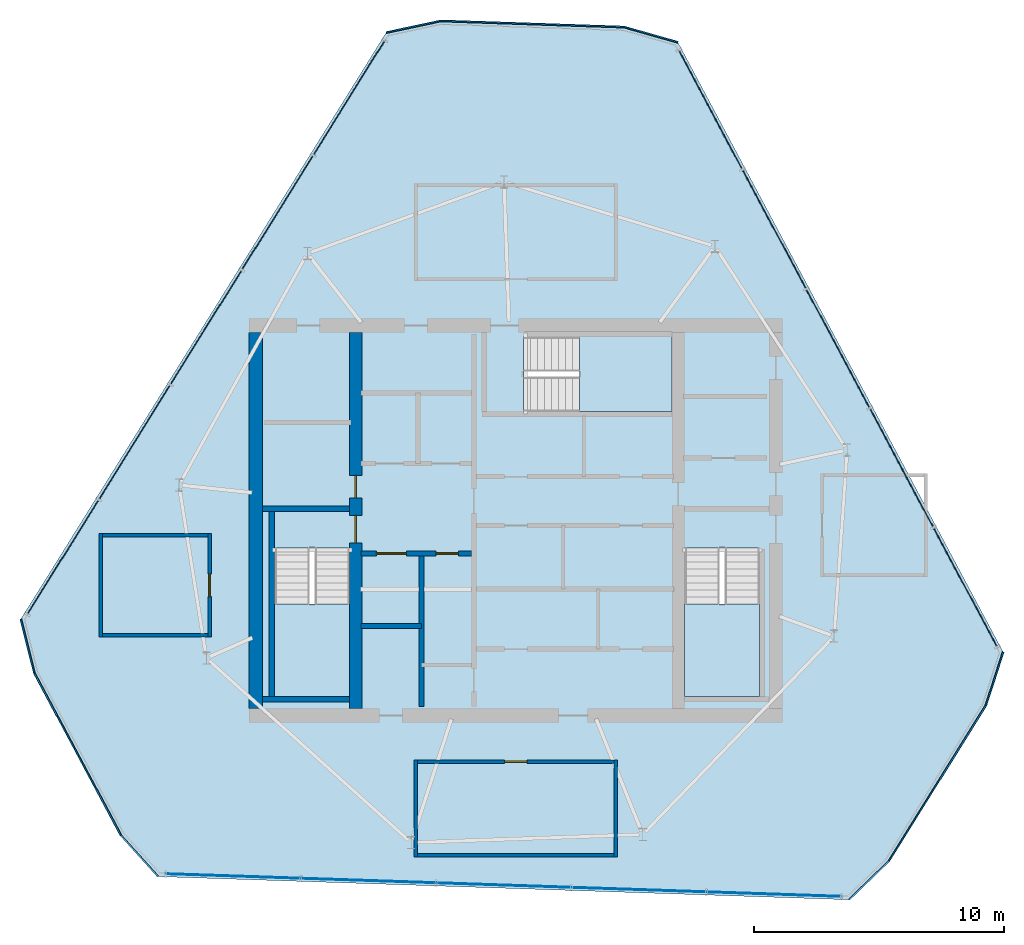
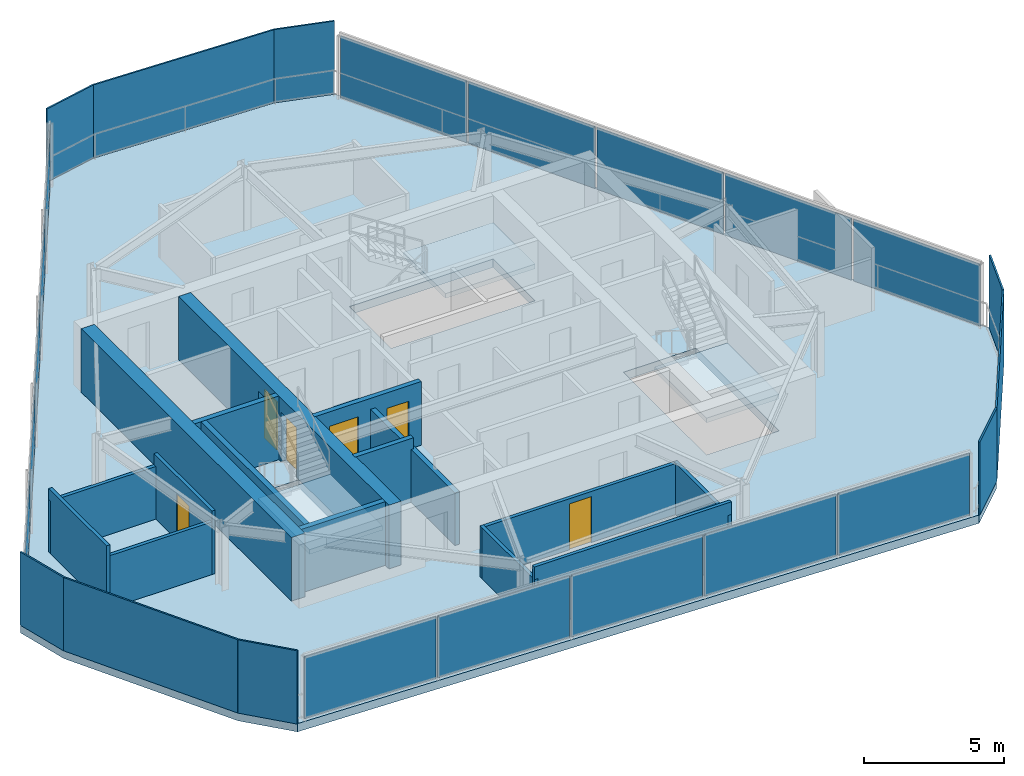
# One storey, part 13 of 16: 24 plates, 16 walls, 6 doors, 4 slabs, 6 openings, 6 elements without a shape of their own.
"""IFC4 building model written with IfcOpenShell, lengths in metres."""

from ifc_helpers import new_model, si_unit, direction, frame, frame_2d, origin, origin_2d, place, context, subcontext, project, spatial, polyline, rectangle, outline, extrude, material, layer, layer_set, type_object, element, fill, aggregate, save


model = new_model("IFC4")

# Units and contexts
model_context = context("Model", 3, precision=1e-05, world=origin(), true_north=direction((0.0, 1.0)))
body_context = subcontext(model_context, "Body", "Model", "MODEL_VIEW")
ifc_project = project(units=[si_unit("LENGTHUNIT", "METRE"), si_unit("AREAUNIT", "SQUARE_METRE"), si_unit("VOLUMEUNIT", "CUBIC_METRE"), si_unit("PLANEANGLEUNIT", "RADIAN"), si_unit("MASSUNIT", "GRAM", prefix="KILO")], contexts=[model_context])

# Site, building, storey
site_placement = place(None, origin())
site = spatial("IfcSite", under=ifc_project, at=site_placement, CompositionType="ELEMENT")
building_placement = place(site_placement, origin())
building = spatial("IfcBuilding", under=site, at=building_placement, Name="Qarnah Convention Tower", CompositionType="ELEMENT")
storey_placement = place(building_placement, frame((0.0, 0.0, 286.699951171875)))
storey = spatial("IfcBuildingStorey", under=building, at=storey_placement, Name="L77", CompositionType="ELEMENT", Elevation=286.699951171875)

# Curtain wall, plates
ifc_material_1 = material(Name="Tempered Low-E dark glass", Category="glass")
ifc_layer_1 = layer(ifc_material_1, 0.177978515625)
ifc_layer_set_1 = layer_set([ifc_layer_1], Name="Tempered Low-E dark glass")
curtain_wall_type = type_object("IfcCurtainWallType", Name="CWS-06", PredefinedType="NOTDEFINED", material=ifc_layer_set_1)
curtain_wall_1_placement = place(storey_placement, origin())
curtain_wall_1 = element("IfcCurtainWall", 1, at=curtain_wall_1_placement, inside=storey, type_object=curtain_wall_type, Name="L77 unitised curtain wall CW-L77-F1", PredefinedType="NOTDEFINED")
ifc_layer_2 = layer(ifc_material_1, 0.0380859375)
ifc_layer_set_2 = layer_set([ifc_layer_2], Name="Tempered Low-E dark glass")
plate_type_1 = type_object("IfcPlateType", Name="PNL-T6", PredefinedType="CURTAIN_PANEL", material=ifc_layer_set_2)
plate_1_placement = place(storey_placement, frame((44.98828125, 42.818359375, 0.0400390625), z_axis=(0.0, 0.0, 1.0), x_axis=(0.470716790186, -0.882284366538, 0.0)))
plate_1 = element("IfcPlate", 2, at=plate_1_placement, type_object=plate_type_1, Name="CW-L77-F1 curtain panel 1.1", PredefinedType="CURTAIN_PANEL", context=body_context, shape_type="SweptSolid", body=[
    extrude(rectangle(XDim=5.330078125, YDim=0.0380859375, at=origin_2d()), origin(), (0.0, 0.0, 1.0), 2.699951171875),
])
plate_2_placement = place(storey_placement, frame((47.534912109375, 38.045166015625, 0.0400390625), z_axis=(0.0, 0.0, 1.0), x_axis=(0.470716790186, -0.882284366538, 0.0)))
plate_2 = element("IfcPlate", 3, at=plate_2_placement, type_object=plate_type_1, Name="CW-L77-F1 curtain panel 2.1", PredefinedType="CURTAIN_PANEL", context=body_context, shape_type="SweptSolid", body=[
    extrude(rectangle(XDim=5.330078125, YDim=0.0380859375, at=origin_2d()), origin(), (0.0, 0.0, 1.0), 2.699951171875),
])
plate_3_placement = place(storey_placement, frame((50.08154296875, 33.27197265625, 0.0400390625), z_axis=(0.0, 0.0, 1.0), x_axis=(0.470716790186, -0.882284366538, 0.0)))
plate_3 = element("IfcPlate", 4, at=plate_3_placement, type_object=plate_type_1, Name="CW-L77-F1 curtain panel 3.1", PredefinedType="CURTAIN_PANEL", context=body_context, shape_type="SweptSolid", body=[
    extrude(rectangle(XDim=5.330078125, YDim=0.0380859375, at=origin_2d()), origin(), (0.0, 0.0, 1.0), 2.699951171875),
])
plate_4_placement = place(storey_placement, frame((52.628173828125, 28.498779296875, 0.0400390625), z_axis=(0.0, 0.0, 1.0), x_axis=(0.470716790186, -0.882284366538, 0.0)))
plate_4 = element("IfcPlate", 5, at=plate_4_placement, type_object=plate_type_1, Name="CW-L77-F1 curtain panel 4.1", PredefinedType="CURTAIN_PANEL", context=body_context, shape_type="SweptSolid", body=[
    extrude(rectangle(XDim=5.330078125, YDim=0.0380859375, at=origin_2d()), origin(), (0.0, 0.0, 1.0), 2.699951171875),
])
plate_5_placement = place(storey_placement, frame((55.1748046875, 23.7255859375, 0.0400390625), z_axis=(0.0, 0.0, 1.0), x_axis=(0.470716790186, -0.882284366538, 0.0)))
plate_5 = element("IfcPlate", 6, at=plate_5_placement, type_object=plate_type_1, Name="CW-L77-F1 curtain panel 5.1", PredefinedType="CURTAIN_PANEL", context=body_context, shape_type="SweptSolid", body=[
    extrude(rectangle(XDim=5.330078125, YDim=0.0380859375, at=origin_2d()), origin(), (0.0, 0.0, 1.0), 2.699951171875),
])
aggregate(curtain_wall_1, [plate_1, plate_2, plate_3, plate_4, plate_5])

curtain_wall_2_placement = place(storey_placement, origin())
curtain_wall_2 = element("IfcCurtainWall", 7, at=curtain_wall_2_placement, inside=storey, type_object=curtain_wall_type, Name="L77 unitised curtain wall CW-L77-F2", PredefinedType="NOTDEFINED")
plate_6_placement = place(storey_placement, frame((47.524658203125, 11.445556640625, 0.0400390625), z_axis=(0.0, 0.0, 1.0), x_axis=(-0.999438900358, 0.033494543595, 0.0)))
plate_6 = element("IfcPlate", 8, at=plate_6_placement, type_object=plate_type_1, Name="CW-L77-F2 curtain panel 1.1", PredefinedType="CURTAIN_PANEL", context=body_context, shape_type="SweptSolid", body=[
    extrude(rectangle(XDim=5.329833984375, YDim=0.0380859375, at=origin_2d()), origin(), (0.0, 0.0, 1.0), 2.699951171875),
])
plate_7_placement = place(storey_placement, frame((42.117919921875, 11.626708984375, 0.0400390625), z_axis=(0.0, 0.0, 1.0), x_axis=(-0.999438900358, 0.033494543595, 0.0)))
plate_7 = element("IfcPlate", 9, at=plate_7_placement, type_object=plate_type_1, Name="CW-L77-F2 curtain panel 2.1", PredefinedType="CURTAIN_PANEL", context=body_context, shape_type="SweptSolid", body=[
    extrude(rectangle(XDim=5.329833984375, YDim=0.0380859375, at=origin_2d()), origin(), (0.0, 0.0, 1.0), 2.699951171875),
])
plate_8_placement = place(storey_placement, frame((36.7109375, 11.80810546875, 0.0400390625), z_axis=(0.0, 0.0, 1.0), x_axis=(-0.999438900358, 0.033494543595, 0.0)))
plate_8 = element("IfcPlate", 10, at=plate_8_placement, type_object=plate_type_1, Name="CW-L77-F2 curtain panel 3.1", PredefinedType="CURTAIN_PANEL", context=body_context, shape_type="SweptSolid", body=[
    extrude(rectangle(XDim=5.329833984375, YDim=0.0380859375, at=origin_2d()), origin(), (0.0, 0.0, 1.0), 2.699951171875),
])
plate_9_placement = place(storey_placement, frame((31.30419921875, 11.9892578125, 0.0400390625), z_axis=(0.0, 0.0, 1.0), x_axis=(-0.999438900358, 0.033494543595, 0.0)))
plate_9 = element("IfcPlate", 11, at=plate_9_placement, type_object=plate_type_1, Name="CW-L77-F2 curtain panel 4.1", PredefinedType="CURTAIN_PANEL", context=body_context, shape_type="SweptSolid", body=[
    extrude(rectangle(XDim=5.329833984375, YDim=0.0380859375, at=origin_2d()), origin(), (0.0, 0.0, 1.0), 2.699951171875),
])
plate_10_placement = place(storey_placement, frame((25.8974609375, 12.17041015625, 0.0400390625), z_axis=(0.0, 0.0, 1.0), x_axis=(-0.999438900358, 0.033494543595, 0.0)))
plate_10 = element("IfcPlate", 12, at=plate_10_placement, type_object=plate_type_1, Name="CW-L77-F2 curtain panel 5.1", PredefinedType="CURTAIN_PANEL", context=body_context, shape_type="SweptSolid", body=[
    extrude(rectangle(XDim=5.329833984375, YDim=0.0380859375, at=origin_2d()), origin(), (0.0, 0.0, 1.0), 2.699951171875),
])
aggregate(curtain_wall_2, [plate_6, plate_7, plate_8, plate_9, plate_10])

curtain_wall_3_placement = place(storey_placement, origin())
curtain_wall_3 = element("IfcCurtainWall", 13, at=curtain_wall_3_placement, inside=storey, type_object=curtain_wall_type, Name="L77 unitised curtain wall CW-L77-F3", PredefinedType="NOTDEFINED")
plate_11_placement = place(storey_placement, frame((19.086181640625, 24.935791015625, 0.0400390625), z_axis=(0.0, 0.0, 1.0), x_axis=(0.528738901195, 0.848784527641, 0.0)))
plate_11 = element("IfcPlate", 14, at=plate_11_placement, type_object=plate_type_1, Name="CW-L77-F3 curtain panel 1.1", PredefinedType="CURTAIN_PANEL", context=body_context, shape_type="SweptSolid", body=[
    extrude(rectangle(XDim=5.329833984375, YDim=0.0380859375, at=origin_2d()), origin(), (0.0, 0.0, 1.0), 2.699951171875),
])
plate_12_placement = place(storey_placement, frame((21.946533203125, 29.527587890625, 0.0400390625), z_axis=(0.0, 0.0, 1.0), x_axis=(0.528738901195, 0.848784527641, 0.0)))
plate_12 = element("IfcPlate", 15, at=plate_12_placement, type_object=plate_type_1, Name="CW-L77-F3 curtain panel 2.1", PredefinedType="CURTAIN_PANEL", context=body_context, shape_type="SweptSolid", body=[
    extrude(rectangle(XDim=5.329833984375, YDim=0.0380859375, at=origin_2d()), origin(), (0.0, 0.0, 1.0), 2.699951171875),
])
plate_13_placement = place(storey_placement, frame((24.806884765625, 34.119384765625, 0.0400390625), z_axis=(0.0, 0.0, 1.0), x_axis=(0.528738901195, 0.848784527641, 0.0)))
plate_13 = element("IfcPlate", 16, at=plate_13_placement, type_object=plate_type_1, Name="CW-L77-F3 curtain panel 3.1", PredefinedType="CURTAIN_PANEL", context=body_context, shape_type="SweptSolid", body=[
    extrude(rectangle(XDim=5.329833984375, YDim=0.0380859375, at=origin_2d()), origin(), (0.0, 0.0, 1.0), 2.699951171875),
])
plate_14_placement = place(storey_placement, frame((27.66748046875, 38.711181640625, 0.0400390625), z_axis=(0.0, 0.0, 1.0), x_axis=(0.528738901195, 0.848784527641, 0.0)))
plate_14 = element("IfcPlate", 17, at=plate_14_placement, type_object=plate_type_1, Name="CW-L77-F3 curtain panel 4.1", PredefinedType="CURTAIN_PANEL", context=body_context, shape_type="SweptSolid", body=[
    extrude(rectangle(XDim=5.329833984375, YDim=0.0380859375, at=origin_2d()), origin(), (0.0, 0.0, 1.0), 2.699951171875),
])
plate_15_placement = place(storey_placement, frame((30.52783203125, 43.302978515625, 0.0400390625), z_axis=(0.0, 0.0, 1.0), x_axis=(0.528738901195, 0.848784527641, 0.0)))
plate_15 = element("IfcPlate", 18, at=plate_15_placement, type_object=plate_type_1, Name="CW-L77-F3 curtain panel 5.1", PredefinedType="CURTAIN_PANEL", context=body_context, shape_type="SweptSolid", body=[
    extrude(rectangle(XDim=5.329833984375, YDim=0.0380859375, at=origin_2d()), origin(), (0.0, 0.0, 1.0), 2.699951171875),
])
aggregate(curtain_wall_3, [plate_11, plate_12, plate_13, plate_14, plate_15])

# Plates
ifc_material_2 = material(Name="Black anodised aluminium", Category="aluminium")
ifc_layer_3 = layer(ifc_material_2, 0.06494140625)
ifc_layer_set_3 = layer_set([ifc_layer_3], Name="Black anodised aluminium")
plate_type_2 = type_object("IfcPlateType", Name="SCR-CRN-30", PredefinedType="USERDEFINED", material=ifc_layer_set_3)
plate_16_placement = place(storey_placement, frame((37.865966796875, 46.260986328125, 0.0), z_axis=(0.0, 0.0, 1.0), x_axis=(0.999438874051, -0.033495328553, 0.0)))
element("IfcPlate", 19, at=plate_16_placement, inside=storey, type_object=plate_type_2, Name="L77 crown acoustic louver screen 1", ObjectType="SCREEN", PredefinedType="USERDEFINED", context=body_context, shape_type="SweptSolid", body=[
    extrude(rectangle(XDim=7.343994140625, YDim=0.06494140625, at=origin_2d()), origin(), (0.0, 0.0, 1.0), 3.199951171875),
])
plate_17_placement = place(storey_placement, frame((42.60791015625, 45.83203125, 0.0), z_axis=(0.0, 0.0, 1.0), x_axis=(0.961591505401, -0.274484565578, 0.0)))
element("IfcPlate", 20, at=plate_17_placement, inside=storey, type_object=plate_type_2, Name="L77 crown acoustic louver screen 2", ObjectType="SCREEN", PredefinedType="USERDEFINED", context=body_context, shape_type="SweptSolid", body=[
    extrude(rectangle(XDim=2.22998046875, YDim=0.06494140625, at=origin_2d()), origin(), (0.0, 0.0, 1.0), 3.199951171875),
])
plate_18_placement = place(storey_placement, frame((56.35205078125, 20.071044921875, 0.0), z_axis=(0.0, 0.0, 1.0), x_axis=(-0.307736926871, -0.951471483461, 0.0)))
element("IfcPlate", 21, at=plate_18_placement, inside=storey, type_object=plate_type_2, Name="L77 crown acoustic louver screen 4", ObjectType="SCREEN", PredefinedType="USERDEFINED", context=body_context, shape_type="SweptSolid", body=[
    extrude(rectangle(XDim=2.22900390625, YDim=0.06494140625, at=origin_2d()), origin(), (0.0, 0.0, 1.0), 3.199951171875),
])
plate_19_placement = place(storey_placement, frame((54.06689453125, 15.89306640625, 0.0), z_axis=(0.0, 0.0, 1.0), x_axis=(-0.528700576619, -0.848808400219, 0.0)))
element("IfcPlate", 22, at=plate_19_placement, inside=storey, type_object=plate_type_2, Name="L77 crown acoustic louver screen 5", ObjectType="SCREEN", PredefinedType="USERDEFINED", context=body_context, shape_type="SweptSolid", body=[
    extrude(rectangle(XDim=7.343994140625, YDim=0.06494140625, at=origin_2d()), origin(), (0.0, 0.0, 1.0), 3.199951171875),
])
for number, where, z_axis, x_axis, name in (
    (23, (51.324951171875, 12.0, 0.0), (0.0, 0.0, 1.0), (-0.718450517166, -0.695578072098, 0.0), "L77 crown acoustic louver screen 6"),
    (24, (22.14306640625, 12.97802734375, 0.0), (0.0, 0.0, 1.0), (-0.670079487737, 0.742289350667, 0.0), "L77 crown acoustic louver screen 8"),
):
    element("IfcPlate", number, at=place(storey_placement, frame(where, z_axis=z_axis, x_axis=x_axis)), inside=storey, type_object=plate_type_2, Name=name, ObjectType="SCREEN", PredefinedType="USERDEFINED", context=body_context, shape_type="SweptSolid", body=[
        extrude(rectangle(XDim=2.22998046875, YDim=0.06494140625, at=origin_2d()), origin(), (0.0, 0.0, 1.0), 3.199951171875),
    ])
plate_20_placement = place(storey_placement, frame((19.66796875, 17.0458984375, 0.0), z_axis=(0.0, 0.0, 1.0), x_axis=(-0.470694692807, 0.882296155587, 0.0)))
element("IfcPlate", 25, at=plate_20_placement, inside=storey, type_object=plate_type_2, Name="L77 crown acoustic louver screen 9", ObjectType="SCREEN", PredefinedType="USERDEFINED", context=body_context, shape_type="SweptSolid", body=[
    extrude(rectangle(XDim=7.343994140625, YDim=0.06494140625, at=origin_2d()), origin(), (0.0, 0.0, 1.0), 3.199951171875),
])
for number, where, z_axis, x_axis, name in (
    (26, (17.66796875, 21.367919921875, 0.0), (0.0, 0.0, 1.0), (-0.243484668145, 0.969904746034, 0.0), "L77 crown acoustic louver screen 10"),
    (27, (33.10595703125, 46.14990234375, 0.0), (0.0, 0.0, 1.0), (0.977835157913, 0.209376225845, 0.0), "L77 crown acoustic louver screen 12"),
):
    element("IfcPlate", number, at=place(storey_placement, frame(where, z_axis=z_axis, x_axis=x_axis)), inside=storey, type_object=plate_type_2, Name=name, ObjectType="SCREEN", PredefinedType="USERDEFINED", context=body_context, shape_type="SweptSolid", body=[
        extrude(rectangle(XDim=2.22998046875, YDim=0.06494140625, at=origin_2d()), origin(), (0.0, 0.0, 1.0), 3.199951171875),
    ])

# Stair, slab
ifc_material_3 = material(Name="Concrete C50/60", Category="concrete")
stair_type = type_object("IfcStairType", Name="STR-CRN", PredefinedType="HALF_TURN_STAIR", material=ifc_material_3)
stair_1_placement = place(storey_placement, origin())
stair_1 = element("IfcStair", 28, at=stair_1_placement, inside=storey, type_object=stair_type, Name="L77 Core exit stair ST-1", PredefinedType="HALF_TURN_STAIR")
ifc_layer_4 = layer(ifc_material_3, 0.199951171875)
ifc_layer_set_4 = layer_set([ifc_layer_4], Name="Concrete C50/60")
slab_type_1 = type_object("IfcSlabType", Name="SLB-LANDING-200", PredefinedType="LANDING", material=ifc_layer_set_4)
slab_1_placement = place(storey_placement, frame((0.0, 0.0, 1.400146484375)))
slab_1 = element("IfcSlab", 29, at=slab_1_placement, type_object=slab_type_1, Name="ST-1 landing 1", PredefinedType="LANDING", context=body_context, shape_type="SweptSolid", body=[
    extrude(outline(polyline([(27.550048828125, 23.06005859375), (27.550048828125, 19.35009765625), (30.550048828125, 19.35009765625), (30.550048828125, 23.06005859375), (27.550048828125, 23.06005859375)])), origin(), (0.0, 0.0, 1.0), 0.199951171875),
])
aggregate(stair_1, [slab_1])

stair_2_placement = place(storey_placement, origin())
stair_2 = element("IfcStair", 30, at=stair_2_placement, inside=storey, type_object=stair_type, Name="L77 Core exit stair ST-2", PredefinedType="HALF_TURN_STAIR")
slab_2_placement = place(storey_placement, frame((0.0, 0.0, 1.400146484375)))
slab_2 = element("IfcSlab", 31, at=slab_2_placement, type_object=slab_type_1, Name="ST-2 landing 1", PredefinedType="LANDING", context=body_context, shape_type="SweptSolid", body=[
    extrude(outline(polyline([(43.949951171875, 23.06005859375), (43.949951171875, 19.35009765625), (46.949951171875, 19.35009765625), (46.949951171875, 23.06005859375), (43.949951171875, 23.06005859375)])), origin(), (0.0, 0.0, 1.0), 0.199951171875),
])
aggregate(stair_2, [slab_2])

stair_3_placement = place(storey_placement, origin())
stair_3 = element("IfcStair", 32, at=stair_3_placement, inside=storey, type_object=stair_type, Name="L77 Core exit stair ST-3", PredefinedType="HALF_TURN_STAIR")
slab_3_placement = place(storey_placement, frame((0.0, 0.0, 1.400146484375)))
slab_3 = element("IfcSlab", 33, at=slab_3_placement, type_object=slab_type_1, Name="ST-3 landing 1", PredefinedType="LANDING", context=body_context, shape_type="SweptSolid", body=[
    extrude(outline(polyline([(39.739990234375, 30.75), (43.449951171875, 30.75), (43.449951171875, 33.75), (39.739990234375, 33.75), (39.739990234375, 30.75)])), origin(), (0.0, 0.0, 1.0), 0.199951171875),
])
aggregate(stair_3, [slab_3])

# Slab
ifc_material_4 = material(Name="Concrete C45/55", Category="concrete")
ifc_layer_5 = layer(ifc_material_4, 0.280029296875)
ifc_layer_set_5 = layer_set([ifc_layer_5], Name="Concrete C45/55")
slab_type_2 = type_object("IfcSlabType", Name="SLB-TWR-280", PredefinedType="FLOOR", material=ifc_layer_set_5)
slab_4_placement = place(storey_placement, frame((0.0, 0.0, -0.35986328125)))
element("IfcSlab", 34, at=slab_4_placement, inside=storey, type_object=slab_type_2, Name="L77 structural floor slab", PredefinedType="FLOOR", context=body_context, shape_type="SweptSolid", body=[
    extrude(outline(polyline([(32.014892578125, 45.9169921875), (17.39599609375, 22.448974609375), (17.93896484375, 20.285888671875), (21.39599609375, 13.805908203125), (22.889892578125, 12.15087890625), (50.52392578125, 11.22509765625), (52.1259765625, 12.77587890625), (56.009033203125, 19.010009765625), (56.695068359375, 21.131103515625), (43.679931640625, 45.52587890625), (41.535888671875, 46.137939453125), (34.196044921875, 46.384033203125), (32.014892578125, 45.9169921875)]), holes=[polyline([(27.550048828125, 25.300048828125), (27.550048828125, 19.35009765625), (30.550048828125, 19.35009765625), (30.550048828125, 25.300048828125), (27.550048828125, 25.300048828125)]), polyline([(43.949951171875, 25.300048828125), (43.949951171875, 19.35009765625), (46.949951171875, 19.35009765625), (46.949951171875, 25.300048828125), (43.949951171875, 25.300048828125)]), polyline([(37.5, 30.75), (43.449951171875, 30.75), (43.449951171875, 33.75), (37.5, 33.75), (37.5, 30.75)])]), origin(), (0.0, 0.0, 1.0), 0.35986328125),
])

# Wall
ifc_material_5 = material(Name="Concrete C60/75", Category="concrete")
ifc_layer_6 = layer(ifc_material_5, 0.550048828125)
ifc_layer_set_6 = layer_set([ifc_layer_6], Name="Concrete C60/75")
wall_type_1 = type_object("IfcWallType", Name="WL-CORE-550", PredefinedType="SHEAR", material=ifc_layer_set_6)
wall_1_placement = place(storey_placement, frame((26.800048828125, 18.875, 0.0), z_axis=(0.0, 0.0, 1.0), x_axis=(0.0, 1.0, 0.0)))
element("IfcWall", 35, at=wall_1_placement, inside=storey, type_object=wall_type_1, Name="L77 core west shear wall", PredefinedType="SHEAR", context=body_context, shape_type="SweptSolid", body=[
    extrude(rectangle(XDim=15.050048828125, YDim=0.550048828125, at=frame_2d((7.52490234375, 0.0))), origin(), (0.0, 0.0, 1.0), 2.780029296875),
])

# Wall, openings, doors
ifc_layer_7 = layer(ifc_material_5, 0.5)
ifc_layer_set_7 = layer_set([ifc_layer_7], Name="Concrete C60/75")
wall_type_2 = type_object("IfcWallType", Name="WL-CORE-INT-400", PredefinedType="SHEAR", material=ifc_layer_set_7)
wall_2_placement = place(storey_placement, frame((30.800048828125, 18.875, 0.0), z_axis=(0.0, 0.0, 1.0), x_axis=(0.0, 1.0, 0.0)))
wall_2 = element("IfcWall", 36, at=wall_2_placement, inside=storey, type_object=wall_type_2, Name="L77 core west spine shear wall", PredefinedType="SHEAR", context=body_context, shape_type="SweptSolid", body=[
    extrude(rectangle(XDim=15.050048828125, YDim=0.5, at=frame_2d((7.52490234375, 0.0))), origin(), (0.0, 0.0, 1.0), 2.780029296875),
])
opening_1_placement = place(wall_2_placement, frame((6.625, 0.0, 0.0)))
opening_1 = element("IfcOpeningElement", 37, at=opening_1_placement, cuts=wall_2, Name="Opening D-7701", PredefinedType="OPENING", context=body_context, shape_type="SweptSolid", body=[
    extrude(rectangle(XDim=1.10009765625, YDim=2.14990234375, at=frame_2d((0.550048828125, 1.074951171875))), frame((0.0, 0.260009765625, 0.0), z_axis=(0.0, -1.0, 0.0), x_axis=(1.0, 0.0, 0.0)), (0.0, 0.0, 1.0), 0.52001953125),
])
opening_2_placement = place(wall_2_placement, frame((8.425048828125, 0.0, 0.0)))
opening_2 = element("IfcOpeningElement", 38, at=opening_2_placement, cuts=wall_2, Name="Opening D-7708", PredefinedType="OPENING", context=body_context, shape_type="SweptSolid", body=[
    extrude(rectangle(XDim=0.89990234375, YDim=2.10009765625, at=frame_2d((0.449951171875, 1.050048828125))), frame((0.0, 0.260009765625, 0.0), z_axis=(0.0, -1.0, 0.0), x_axis=(1.0, 0.0, 0.0)), (0.0, 0.0, 1.0), 0.52001953125),
])
ifc_material_6 = material(Name="Structural steel S355JR", Category="steel")
door_type_1 = type_object("IfcDoorType", Name="DT-RISER-900", OperationType="NOTDEFINED", PredefinedType="DOOR", material=ifc_material_6)
door_1_placement = place(opening_2_placement, origin())
door_1 = element("IfcDoor", 39, at=door_1_placement, inside=storey, type_object=door_type_1, Name="Door D-7708", OperationType="SINGLE_SWING_RIGHT", OverallHeight=2.10009765625, OverallWidth=0.89990234375, PredefinedType="DOOR", context=body_context, shape_type="SweptSolid", body=[
    extrude(rectangle(XDim=0.89990234375, YDim=2.10009765625, at=frame_2d((0.449951171875, 1.050048828125))), frame((0.0, 0.02490234375, 0.0), z_axis=(0.0, -1.0, 0.0), x_axis=(1.0, 0.0, 0.0)), (0.0, 0.0, 1.0), 0.050048828125),
])
fill(opening_2, door_1)
door_type_2 = type_object("IfcDoorType", Name="DT-STAIR-1100", OperationType="NOTDEFINED", PredefinedType="DOOR", material=ifc_material_6)
door_2_placement = place(opening_1_placement, origin())
door_2 = element("IfcDoor", 40, at=door_2_placement, inside=storey, type_object=door_type_2, Name="Door D-7701", OperationType="SINGLE_SWING_LEFT", OverallHeight=2.14990234375, OverallWidth=1.10009765625, PredefinedType="DOOR", context=body_context, shape_type="SweptSolid", body=[
    extrude(rectangle(XDim=1.10009765625, YDim=2.14990234375, at=frame_2d((0.550048828125, 1.074951171875))), frame((0.0, 0.02490234375, 0.0), z_axis=(0.0, -1.0, 0.0), x_axis=(1.0, 0.0, 0.0)), (0.0, 0.0, 1.0), 0.050048828125),
])
fill(opening_1, door_2)

ifc_layer_8 = layer(ifc_material_4, 0.199951171875)
ifc_layer_set_8 = layer_set([ifc_layer_8], Name="Concrete C45/55")
wall_type_3 = type_object("IfcWallType", Name="WL-CORE-PART-200", PredefinedType="SOLIDWALL", material=ifc_layer_set_8)
wall_3_placement = place(storey_placement, frame((31.0, 25.080078125, 0.0), z_axis=(0.0, 0.0, 1.0), x_axis=(1.0, 0.0, 0.0)))
wall_3 = element("IfcWall", 41, at=wall_3_placement, inside=storey, type_object=wall_type_3, Name="L77 interior wall IW-L77-FFLBS", PredefinedType="SOLIDWALL", context=body_context, shape_type="SweptSolid", body=[
    extrude(rectangle(XDim=4.419921875, YDim=0.199951171875, at=frame_2d((2.2099609375, 0.0))), origin(), (0.0, 0.0, 1.0), 2.780029296875),
])
opening_3_placement = place(wall_3_placement, frame((3.0, 0.0, 0.0)))
opening_3 = element("IfcOpeningElement", 42, at=opening_3_placement, cuts=wall_3, Name="Opening D-7715", PredefinedType="OPENING", context=body_context, shape_type="SweptSolid", body=[
    extrude(rectangle(XDim=0.89990234375, YDim=2.10009765625, at=frame_2d((0.449951171875, 1.050048828125))), frame((0.0, 0.10986328125, 0.0), z_axis=(0.0, -1.0, 0.0), x_axis=(1.0, 0.0, 0.0)), (0.0, 0.0, 1.0), 0.219970703125),
])
opening_4_placement = place(wall_3_placement, frame((0.6201171875, 0.0, 0.0)))
opening_4 = element("IfcOpeningElement", 43, at=opening_4_placement, cuts=wall_3, Name="Opening LD-7703", PredefinedType="OPENING", context=body_context, shape_type="SweptSolid", body=[
    extrude(rectangle(XDim=1.199951171875, YDim=2.14990234375, at=frame_2d((0.60009765625, 1.074951171875))), frame((0.0, 0.10986328125, 0.0), z_axis=(0.0, -1.0, 0.0), x_axis=(1.0, 0.0, 0.0)), (0.0, 0.0, 1.0), 0.219970703125),
])
door_type_3 = type_object("IfcDoorType", Name="DT-LIFT-1200", OperationType="SLIDING_TO_LEFT", PredefinedType="DOOR", material=ifc_material_6)
door_3_placement = place(opening_4_placement, origin())
door_3 = element("IfcDoor", 44, at=door_3_placement, inside=storey, type_object=door_type_3, Name="Door LD-7703", OperationType="SLIDING_TO_LEFT", OverallHeight=2.14990234375, OverallWidth=1.199951171875, PredefinedType="DOOR", context=body_context, shape_type="SweptSolid", body=[
    extrude(rectangle(XDim=1.199951171875, YDim=2.14990234375, at=frame_2d((0.60009765625, 1.074951171875))), frame((0.0, 0.02490234375, 0.0), z_axis=(0.0, -1.0, 0.0), x_axis=(1.0, 0.0, 0.0)), (0.0, 0.0, 1.0), 0.050048828125),
])
fill(opening_4, door_3)
door_4_placement = place(opening_3_placement, origin())
door_4 = element("IfcDoor", 45, at=door_4_placement, inside=storey, type_object=door_type_1, Name="Door D-7715", OperationType="SINGLE_SWING_LEFT", OverallHeight=2.10009765625, OverallWidth=0.89990234375, PredefinedType="DOOR", context=body_context, shape_type="SweptSolid", body=[
    extrude(rectangle(XDim=0.89990234375, YDim=2.10009765625, at=frame_2d((0.449951171875, 1.050048828125))), frame((0.0, 0.02490234375, 0.0), z_axis=(0.0, -1.0, 0.0), x_axis=(1.0, 0.0, 0.0)), (0.0, 0.0, 1.0), 0.050048828125),
])
fill(opening_3, door_4)

# Walls
wall_4_placement = place(storey_placement, frame((33.419921875, 18.949951171875, 0.0), z_axis=(0.0, 0.0, 1.0), x_axis=(0.0, 1.0, 0.0)))
element("IfcWall", 46, at=wall_4_placement, inside=storey, type_object=wall_type_3, Name="L77 interior wall IW-L77-SVLE", PredefinedType="SOLIDWALL", context=body_context, shape_type="SweptSolid", body=[
    extrude(rectangle(XDim=6.130126953125, YDim=0.199951171875, at=frame_2d((3.06494140625, 0.0))), origin(), (0.0, 0.0, 1.0), 2.301025390625),
])
wall_5_placement = place(storey_placement, frame((31.0, 22.179931640625, 0.0), z_axis=(0.0, 0.0, 1.0), x_axis=(1.0, 0.0, 0.0)))
element("IfcWall", 47, at=wall_5_placement, inside=storey, type_object=wall_type_3, Name="L77 interior wall IW-L77-SVLS", PredefinedType="SOLIDWALL", context=body_context, shape_type="SweptSolid", body=[
    extrude(rectangle(XDim=2.419921875, YDim=0.199951171875, at=frame_2d((1.2099609375, 0.0))), origin(), (0.0, 0.0, 1.0), 2.780029296875),
])
ifc_layer_9 = layer(ifc_material_5, 0.219970703125)
ifc_layer_set_9 = layer_set([ifc_layer_9], Name="Concrete C60/75")
wall_type_4 = type_object("IfcWallType", Name="WL-CORE-STAIR-220", PredefinedType="SHEAR", material=ifc_layer_set_9)
wall_6_placement = place(storey_placement, frame((27.074951171875, 26.860107421875, 0.0), z_axis=(0.0, 0.0, 1.0), x_axis=(1.0, 0.0, 0.0)))
element("IfcWall", 48, at=wall_6_placement, inside=storey, type_object=wall_type_4, Name="L77 stair shaft shear wall SW-L77-ST1N", PredefinedType="SHEAR", context=body_context, shape_type="SweptSolid", body=[
    extrude(rectangle(XDim=3.47509765625, YDim=0.219970703125, at=frame_2d((1.737548828125, 0.0))), origin(), (0.0, 0.0, 1.0), 2.780029296875),
])
wall_7_placement = place(storey_placement, frame((27.43994140625, 19.35009765625, 0.0), z_axis=(0.0, 0.0, 1.0), x_axis=(0.0, 1.0, 0.0)))
element("IfcWall", 49, at=wall_7_placement, inside=storey, type_object=wall_type_4, Name="L77 stair shaft shear wall SW-L77-ST1W", PredefinedType="SHEAR", context=body_context, shape_type="SweptSolid", body=[
    extrude(rectangle(XDim=7.39990234375, YDim=0.219970703125, at=frame_2d((3.699951171875, 0.0))), origin(), (0.0, 0.0, 1.0), 2.780029296875),
])
wall_8_placement = place(storey_placement, frame((27.074951171875, 19.239990234375, 0.0), z_axis=(0.0, 0.0, 1.0), x_axis=(1.0, 0.0, 0.0)))
element("IfcWall", 50, at=wall_8_placement, inside=storey, type_object=wall_type_4, Name="L77 stair shaft shear wall SW-L77-ST1S", PredefinedType="SHEAR", context=body_context, shape_type="SweptSolid", body=[
    extrude(rectangle(XDim=3.47509765625, YDim=0.219970703125, at=frame_2d((1.737548828125, 0.0))), origin(), (0.0, 0.0, 1.0), 2.780029296875),
])
ifc_material_7 = material(Name="Gypsum partition board")
ifc_layer_10 = layer(ifc_material_7, 0.139892578125)
ifc_layer_set_10 = layer_set([ifc_layer_10], Name="Gypsum partition board")
wall_type_5 = type_object("IfcWallType", Name="WL-WET-140", PredefinedType="PARTITIONING", material=ifc_layer_set_10)
wall_9_placement = place(storey_placement, frame((20.530029296875, 21.800048828125, 0.0), z_axis=(0.0, 0.0, 1.0), x_axis=(1.0, 0.0, 0.0)))
element("IfcWall", 51, at=wall_9_placement, inside=storey, type_object=wall_type_5, Name="L77 interior wall IW-L77-DMPR-1", PredefinedType="PARTITIONING", context=body_context, shape_type="SweptSolid", body=[
    extrude(rectangle(XDim=4.489990234375, YDim=0.139892578125, at=frame_2d((2.2451171875, 0.0))), origin(), (0.0, 0.0, 1.0), 2.304931640625),
])

# Wall, opening, door
wall_10_placement = place(storey_placement, frame((24.949951171875, 21.72998046875, 0.0), z_axis=(0.0, 0.0, 1.0), x_axis=(0.0, 1.0, 0.0)))
wall_10 = element("IfcWall", 52, at=wall_10_placement, inside=storey, type_object=wall_type_5, Name="L77 interior wall IW-L77-DMPR-2", PredefinedType="PARTITIONING", context=body_context, shape_type="SweptSolid", body=[
    extrude(rectangle(XDim=4.14013671875, YDim=0.139892578125, at=frame_2d((2.070068359375, 0.0))), origin(), (0.0, 0.0, 1.0), 2.780029296875),
])
opening_5_placement = place(wall_10_placement, frame((1.6201171875, 0.0, 0.0)))
opening_5 = element("IfcOpeningElement", 53, at=opening_5_placement, cuts=wall_10, Name="Opening D-7722", PredefinedType="OPENING", context=body_context, shape_type="SweptSolid", body=[
    extrude(rectangle(XDim=0.89990234375, YDim=2.0, at=frame_2d((0.449951171875, 1.0))), frame((0.0, 0.079833984375, 0.0), z_axis=(0.0, -1.0, 0.0), x_axis=(1.0, 0.0, 0.0)), (0.0, 0.0, 1.0), 0.159912109375),
])
door_type_4 = type_object("IfcDoorType", Name="DT-PLANT-900", OperationType="NOTDEFINED", PredefinedType="DOOR", material=ifc_material_6)
door_5_placement = place(opening_5_placement, origin())
door_5 = element("IfcDoor", 54, at=door_5_placement, inside=storey, type_object=door_type_4, Name="Door D-7722", OperationType="SINGLE_SWING_RIGHT", OverallHeight=2.0, OverallWidth=0.89990234375, PredefinedType="DOOR", context=body_context, shape_type="SweptSolid", body=[
    extrude(rectangle(XDim=0.89990234375, YDim=2.0, at=frame_2d((0.449951171875, 1.0))), frame((0.0, 0.02490234375, 0.0), z_axis=(0.0, -1.0, 0.0), x_axis=(1.0, 0.0, 0.0)), (0.0, 0.0, 1.0), 0.050048828125),
])
fill(opening_5, door_5)

# Walls
wall_11_placement = place(storey_placement, frame((25.02001953125, 25.800048828125, 0.0), z_axis=(0.0, 0.0, 1.0), x_axis=(-1.0, 0.0, 0.0)))
element("IfcWall", 55, at=wall_11_placement, inside=storey, type_object=wall_type_5, Name="L77 interior wall IW-L77-DMPR-3", PredefinedType="PARTITIONING", context=body_context, shape_type="SweptSolid", body=[
    extrude(rectangle(XDim=4.489990234375, YDim=0.139892578125, at=frame_2d((2.2451171875, 0.0))), origin(), (0.0, 0.0, 1.0), 2.304931640625),
])
wall_12_placement = place(storey_placement, frame((20.60009765625, 25.8701171875, 0.0), z_axis=(0.0, 0.0, 1.0), x_axis=(0.0, -1.0, 0.0)))
element("IfcWall", 56, at=wall_12_placement, inside=storey, type_object=wall_type_5, Name="L77 interior wall IW-L77-DMPR-4", PredefinedType="PARTITIONING", context=body_context, shape_type="SweptSolid", body=[
    extrude(rectangle(XDim=4.14013671875, YDim=0.139892578125, at=frame_2d((2.070068359375, 0.0))), origin(), (0.0, 0.0, 1.0), 2.780029296875),
])
wall_13_placement = place(storey_placement, frame((33.1298828125, 13.0, 0.0), z_axis=(0.0, 0.0, 1.0), x_axis=(1.0, 0.0, 0.0)))
element("IfcWall", 57, at=wall_13_placement, inside=storey, type_object=wall_type_5, Name="L77 interior wall IW-L77-CHLP-1", PredefinedType="PARTITIONING", context=body_context, shape_type="SweptSolid", body=[
    extrude(rectangle(XDim=8.14013671875, YDim=0.139892578125, at=frame_2d((4.070068359375, 0.0))), origin(), (0.0, 0.0, 1.0), 2.780029296875),
])
wall_14_placement = place(storey_placement, frame((41.199951171875, 12.929931640625, 0.0), z_axis=(0.0, 0.0, 1.0), x_axis=(0.0, 1.0, 0.0)))
element("IfcWall", 58, at=wall_14_placement, inside=storey, type_object=wall_type_5, Name="L77 interior wall IW-L77-CHLP-2", PredefinedType="PARTITIONING", context=body_context, shape_type="SweptSolid", body=[
    extrude(rectangle(XDim=3.89013671875, YDim=0.139892578125, at=frame_2d((1.945068359375, 0.0))), origin(), (0.0, 0.0, 1.0), 2.22900390625),
])

# Wall, opening, door
wall_15_placement = place(storey_placement, frame((41.27001953125, 16.75, 0.0), z_axis=(0.0, 0.0, 1.0), x_axis=(-1.0, 0.0, 0.0)))
wall_15 = element("IfcWall", 59, at=wall_15_placement, inside=storey, type_object=wall_type_5, Name="L77 interior wall IW-L77-CHLP-3", PredefinedType="PARTITIONING", context=body_context, shape_type="SweptSolid", body=[
    extrude(rectangle(XDim=8.14013671875, YDim=0.139892578125, at=frame_2d((4.070068359375, 0.0))), origin(), (0.0, 0.0, 1.0), 2.22900390625),
])
opening_6_placement = place(wall_15_placement, frame((3.6201171875, 0.0, 0.0)))
opening_6 = element("IfcOpeningElement", 60, at=opening_6_placement, cuts=wall_15, Name="Opening D-7725", PredefinedType="OPENING", context=body_context, shape_type="SweptSolid", body=[
    extrude(rectangle(XDim=0.89990234375, YDim=2.0, at=frame_2d((0.449951171875, 1.0))), frame((0.0, 0.079833984375, 0.0), z_axis=(0.0, -1.0, 0.0), x_axis=(1.0, 0.0, 0.0)), (0.0, 0.0, 1.0), 0.159912109375),
])
door_6_placement = place(opening_6_placement, origin())
door_6 = element("IfcDoor", 61, at=door_6_placement, inside=storey, type_object=door_type_4, Name="Door D-7725", OperationType="SINGLE_SWING_LEFT", OverallHeight=2.0, OverallWidth=0.89990234375, PredefinedType="DOOR", context=body_context, shape_type="SweptSolid", body=[
    extrude(rectangle(XDim=0.89990234375, YDim=2.0, at=frame_2d((0.449951171875, 1.0))), frame((0.0, 0.02490234375, 0.0), z_axis=(0.0, -1.0, 0.0), x_axis=(1.0, 0.0, 0.0)), (0.0, 0.0, 1.0), 0.050048828125),
])
fill(opening_6, door_6)

# Wall
wall_16_placement = place(storey_placement, frame((33.199951171875, 16.820068359375, 0.0), z_axis=(0.0, 0.0, 1.0), x_axis=(0.0, -1.0, 0.0)))
element("IfcWall", 62, at=wall_16_placement, inside=storey, type_object=wall_type_5, Name="L77 interior wall IW-L77-CHLP-4", PredefinedType="PARTITIONING", context=body_context, shape_type="SweptSolid", body=[
    extrude(rectangle(XDim=3.89013671875, YDim=0.139892578125, at=frame_2d((1.945068359375, 0.0))), origin(), (0.0, 0.0, 1.0), 2.22900390625),
])

save(model, "model.ifc")
